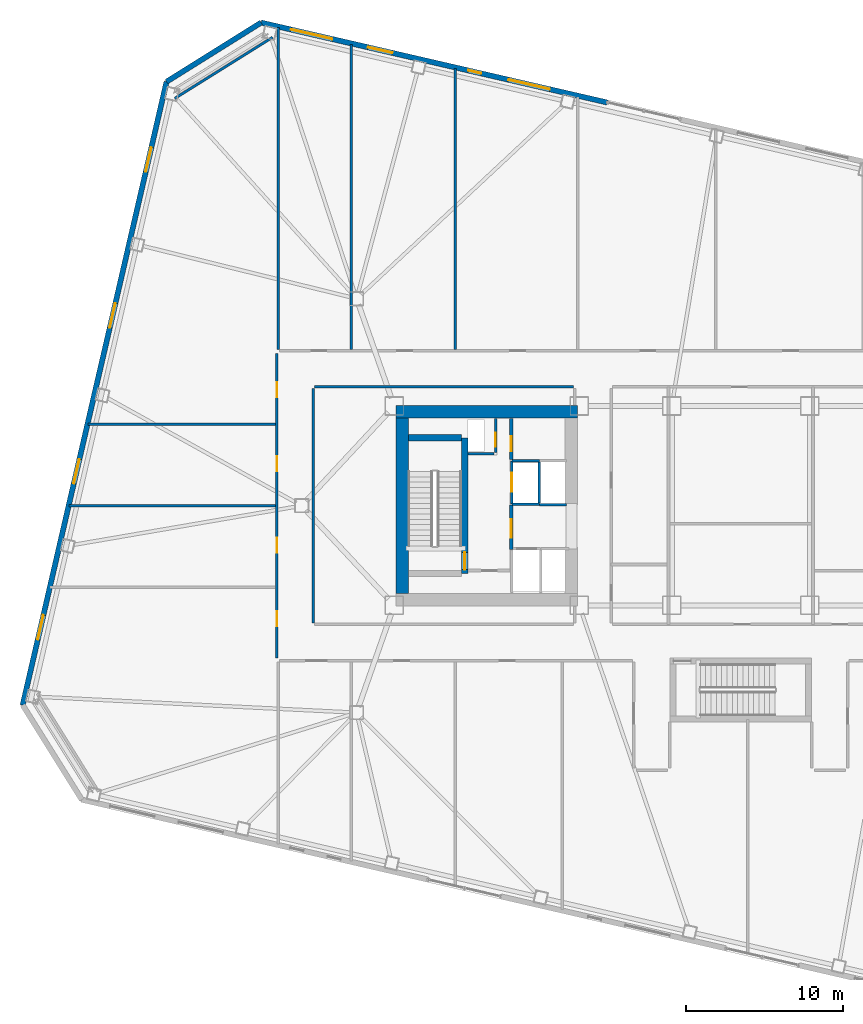
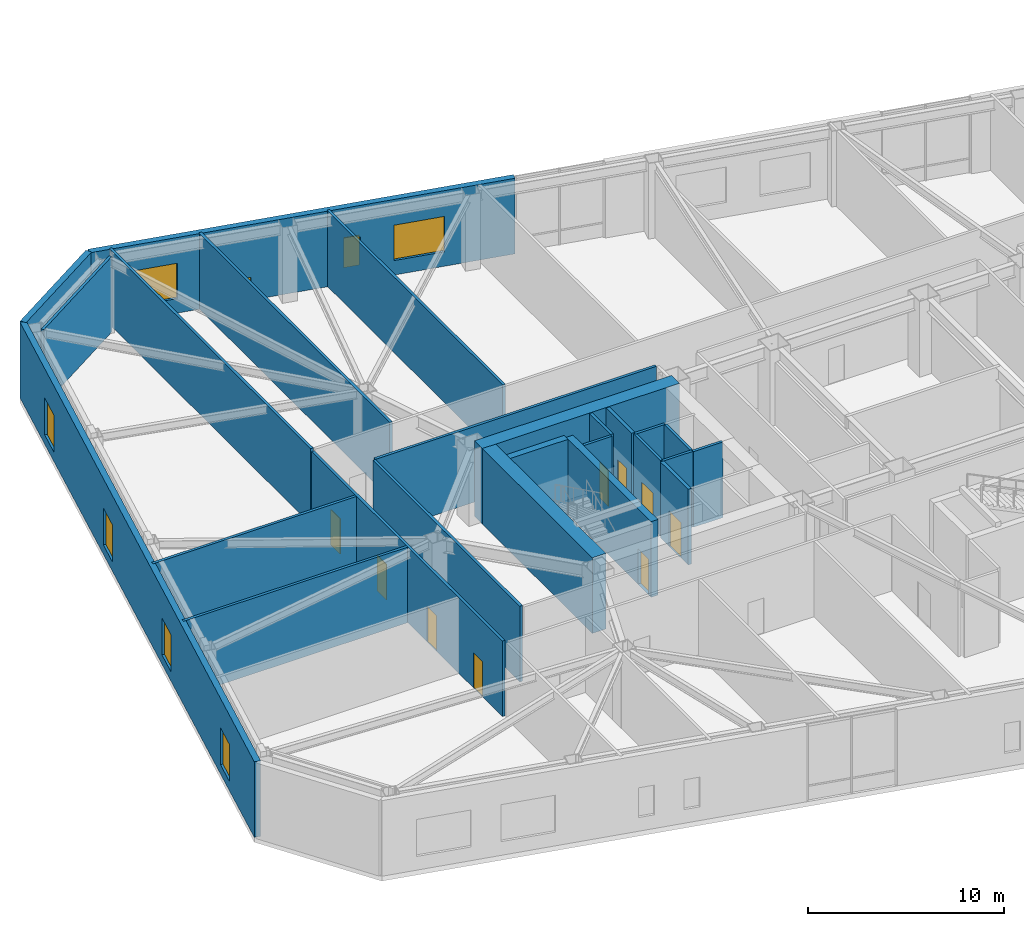
# One storey, part 11 of 20: 25 walls, 9 doors, 8 windows, 17 openings.
"""IFC4 building model written with IfcOpenShell, lengths in metres."""

import ifcopenshell
import ifcopenshell.guid

model = None  # the IFC model being written
_history = None  # IfcOwnerHistory: only IFC2X3 demands one
_inside = {}  # id of a spatial element -> (the spatial element, [elements in it])
_under = {}  # id of a project, library or spatial element -> (it, [spatial elements below it])
_declared = {}  # id of a project -> (the project, [libraries it declares])
_typed = {}  # id of a type object -> (the type object, [elements of that type])
_made_of = {}  # id of a material, layer set ... -> (it, [elements and type objects made of it])


def new_model(schema):
    """Start an empty IFC model of exactly this schema.

    Asked for "IFC4X3", IfcOpenShell would pick the latest addendum, in which some entities
    have other attributes; the version numbers below select the first issue.
    IFC2X3 requires an IfcOwnerHistory on every rooted entity: one is made here for all.
    """
    global model, _history
    if schema == "IFC4X3":
        model = ifcopenshell.file(schema_version=(4, 3, 0, 0))
    else:
        model = ifcopenshell.file(schema=schema)
    _inside.clear()
    _under.clear()
    _declared.clear()
    _typed.clear()
    _made_of.clear()
    _history = None
    if model.schema == "IFC2X3":
        org = make("IfcOrganization", Name="unknown")
        user = make(
            "IfcPersonAndOrganization",
            ThePerson=make("IfcPerson", FamilyName="unknown"),
            TheOrganization=org,
        )
        app = make(
            "IfcApplication",
            ApplicationDeveloper=org,
            Version="unknown",
            ApplicationFullName="unknown",
            ApplicationIdentifier="unknown",
        )
        _history = make(
            "IfcOwnerHistory",
            OwningUser=user,
            OwningApplication=app,
            ChangeAction="ADDED",
            CreationDate=0,
        )
    return model


def make(cls, **values):
    """One entity of the class cls with the attributes given. An attribute that is None is left unset."""
    return model.create_entity(
        cls, **{name: value for name, value in values.items() if value is not None}
    )


def rooted(cls, **values):
    """An entity with a GlobalId (a new one), such as an element, a storey or a relation."""
    return make(cls, GlobalId=ifcopenshell.guid.new(), OwnerHistory=_history, **values)


def si_unit(unit_type, name, prefix=None):
    """IfcSIUnit, for example si_unit("LENGTHUNIT", "METRE", prefix="MILLI")."""
    return make("IfcSIUnit", UnitType=unit_type, Prefix=prefix, Name=name)


def assignment(units):
    """IfcUnitAssignment: the units of a project."""
    return None if units is None else make("IfcUnitAssignment", Units=units)


def point(xyz):
    """IfcCartesianPoint."""
    return None if xyz is None else make("IfcCartesianPoint", Coordinates=xyz)


def direction(xyz):
    """IfcDirection."""
    return None if xyz is None else make("IfcDirection", DirectionRatios=xyz)


def frame(location, z_axis=None, x_axis=None):
    """IfcAxis2Placement3D, a coordinate frame: its origin and axes. An axis left out is left unset."""
    return make(
        "IfcAxis2Placement3D",
        Location=point(location),
        Axis=direction(z_axis),
        RefDirection=direction(x_axis),
    )


def frame_2d(location, x_axis=None):
    """IfcAxis2Placement2D, a coordinate frame in the plane: its origin and x axis."""
    return make(
        "IfcAxis2Placement2D", Location=point(location), RefDirection=direction(x_axis)
    )


def origin():
    """The frame at (0, 0, 0) with its axes left unset."""
    return frame((0.0, 0.0, 0.0))


def place(relative_to, where):
    """IfcLocalPlacement: puts the frame where relative to a parent placement (None: the world)."""
    return make(
        "IfcLocalPlacement", PlacementRelTo=relative_to, RelativePlacement=where
    )


def context(
    kind, dimensions, precision=None, world=None, true_north=None, identifier=None
):
    """IfcGeometricRepresentationContext, for example the 3D "Model" context."""
    return make(
        "IfcGeometricRepresentationContext",
        ContextIdentifier=identifier,
        ContextType=kind,
        CoordinateSpaceDimension=dimensions,
        Precision=precision,
        WorldCoordinateSystem=world,
        TrueNorth=true_north,
    )


def subcontext(parent, identifier, kind, view, scale=None):
    """IfcGeometricRepresentationSubContext, for example "Body" below "Model"."""
    return make(
        "IfcGeometricRepresentationSubContext",
        ContextIdentifier=identifier,
        ContextType=kind,
        ParentContext=parent,
        TargetScale=scale,
        TargetView=view,
    )


def project(units=None, contexts=None):
    """IfcProject with its units and contexts."""
    return rooted(
        "IfcProject",
        Name="project",
        RepresentationContexts=contexts,
        UnitsInContext=assignment(units),
    )


def spatial(cls, under=None, at=None, **own):
    """A site, building, storey or space (cls), placed at a placement, below another one or the project."""
    s = rooted(cls, ObjectPlacement=at, **own)
    if under is not None:
        _under.setdefault(under.id(), (under, []))[1].append(s)
    return s


def profile(cls, at=None, kind="AREA", **sizes):
    """A parametric profile (cls). Its sizes go by their IFC names, for example OverallWidth=200.0."""
    return make(cls, ProfileType=kind, Position=at, **sizes)


def rectangle(**sizes):
    """IfcRectangleProfileDef."""
    return profile("IfcRectangleProfileDef", **sizes)


def extrude(swept, where, along, depth):
    """IfcExtrudedAreaSolid: the profile swept, set in the frame where, extruded along a direction by depth."""
    return make(
        "IfcExtrudedAreaSolid",
        SweptArea=swept,
        Position=where,
        ExtrudedDirection=direction(along),
        Depth=depth,
    )


def shape(context_of_items, identifier, shape_type, items):
    """IfcShapeRepresentation: the items that make up one representation, for example the "Body"."""
    return make(
        "IfcShapeRepresentation",
        ContextOfItems=context_of_items,
        RepresentationIdentifier=identifier,
        RepresentationType=shape_type,
        Items=items,
    )


def material(Name=None, Category=None):
    """IfcMaterial."""
    return make("IfcMaterial", Name=Name, Category=Category)


def layer(
    of_material, thickness, ventilated=None, Name=None, Category=None, Priority=None
):
    """IfcMaterialLayer: one layer of a wall or slab, of a material (None: an air gap)."""
    return make(
        "IfcMaterialLayer",
        Material=of_material,
        LayerThickness=thickness,
        IsVentilated=ventilated,
        Name=Name,
        Category=Category,
        Priority=Priority,
    )


def layer_set(layers, Name=None):
    """IfcMaterialLayerSet."""
    return make("IfcMaterialLayerSet", MaterialLayers=layers, LayerSetName=Name)


def made_of(thing, what):
    """Note that an element or type object is made of a material, layer set ...; save() writes the relation."""
    if what is not None:
        _made_of.setdefault(what.id(), (what, []))[1].append(thing)
    return thing


def type_object(cls, material=None, **own):
    """A type object (cls), such as IfcWallType, which elements share."""
    return made_of(rooted(cls, **own), material)


def element(
    cls,
    number,
    at=None,
    inside=None,
    cuts=None,
    type_object=None,
    material=None,
    context=None,
    identifier="Body",
    shape_type=None,
    held_by="IfcProductDefinitionShape",
    body=None,
    shapes=None,
    **own,
):
    """One element of the class cls, such as IfcWall. Its Tag is "e" and its number.

    at: its placement. inside: the storey or other place that contains it. cuts: it is an
    opening in that element (IfcRelVoidsElement). A single representation is given by context,
    identifier, shape_type and body (its items); several are given by shapes. held_by: the class
    of the entity that holds the representations. save() writes the other relations.
    """
    e = rooted(cls, Tag="e%d" % number, ObjectPlacement=at, **own)
    if body is not None:
        shapes = [shape(context, identifier, shape_type, body)]
    if shapes is not None:
        e.Representation = make(held_by, Representations=shapes)
    if inside is not None:
        _inside.setdefault(inside.id(), (inside, []))[1].append(e)
    if cuts is not None:
        rooted(
            "IfcRelVoidsElement", RelatingBuildingElement=cuts, RelatedOpeningElement=e
        )
    if type_object is not None:
        _typed.setdefault(type_object.id(), (type_object, []))[1].append(e)
    return made_of(e, material)


def fill(opening, filler):
    """IfcRelFillsElement: the door or window that sits in an opening."""
    return rooted(
        "IfcRelFillsElement",
        RelatingOpeningElement=opening,
        RelatedBuildingElement=filler,
    )


def aggregate(whole, parts):
    """IfcRelAggregates: a whole, such as a stair, and the parts it consists of."""
    return rooted("IfcRelAggregates", RelatingObject=whole, RelatedObjects=parts)


def save(model, path):
    """Write the relations noted so far, then the file.

    IfcRelAggregates (storeys below a building ...), IfcRelContainedInSpatialStructure (elements
    in a storey), IfcRelDefinesByType, IfcRelAssociatesMaterial and IfcRelDeclares: one each for
    every whole, place, type object, material and project.
    """
    for whole, parts in _under.values():
        aggregate(whole, parts)
    for where, things in _inside.values():
        rooted(
            "IfcRelContainedInSpatialStructure",
            RelatedElements=things,
            RelatingStructure=where,
        )
    for kind, things in _typed.values():
        rooted("IfcRelDefinesByType", RelatedObjects=things, RelatingType=kind)
    for what, things in _made_of.values():
        rooted("IfcRelAssociatesMaterial", RelatedObjects=things, RelatingMaterial=what)
    for by, libraries in _declared.values():
        rooted("IfcRelDeclares", RelatingContext=by, RelatedDefinitions=libraries)
    model.write(path)


model = new_model("IFC4")

# Units and contexts
model_context = context("Model", 3, precision=1e-05, world=origin(), true_north=direction((0.0, 1.0)))
body_context = subcontext(model_context, "Body", "Model", "MODEL_VIEW")
ifc_project = project(units=[si_unit("LENGTHUNIT", "METRE"), si_unit("AREAUNIT", "SQUARE_METRE"), si_unit("VOLUMEUNIT", "CUBIC_METRE"), si_unit("PLANEANGLEUNIT", "RADIAN"), si_unit("MASSUNIT", "GRAM", prefix="KILO")], contexts=[model_context])

# Site, building, storey
site_placement = place(None, origin())
site = spatial("IfcSite", under=ifc_project, at=site_placement, CompositionType="ELEMENT")
building_placement = place(site_placement, origin())
building = spatial("IfcBuilding", under=site, at=building_placement, Name="Tavrogorsk Clinical Tower", CompositionType="ELEMENT")
storey_placement = place(building_placement, frame((0.0, 0.0, 23.39990234375)))
storey = spatial("IfcBuildingStorey", under=building, at=storey_placement, Name="L04", CompositionType="ELEMENT", Elevation=23.39990234375)

# Wall, opening, door
ifc_material_1 = material(Name="Concrete B60", Category="concrete")
ifc_layer_1 = layer(ifc_material_1, 0.199951171875)
ifc_layer_set_1 = layer_set([ifc_layer_1], Name="Concrete B60")
wall_type_1 = type_object("IfcWallType", Name="CoreFireWall_200", PredefinedType="SOLIDWALL", material=ifc_layer_set_1)
wall_1_placement = place(storey_placement, frame((-14.639892578125, 2.9599609375, 0.0), z_axis=(0.0, 0.0, 1.0), x_axis=(0.0, 1.0, 0.0)))
wall_1 = element("IfcWall", 1, at=wall_1_placement, inside=storey, type_object=wall_type_1, Name="L04 Core West North Core Room East Wall", PredefinedType="SOLIDWALL", context=body_context, shape_type="SweptSolid", body=[
    extrude(rectangle(XDim=2.60009765625, YDim=0.199951171875, at=frame_2d((1.300048828125, 0.0))), origin(), (0.0, 0.0, 1.0), 4.7001953125),
])
opening_1_placement = place(wall_1_placement, frame((0.52001953125, 0.0, 0.0)))
opening_1 = element("IfcOpeningElement", 2, at=opening_1_placement, cuts=wall_1, Name="Opening ID-02", PredefinedType="OPENING", context=body_context, shape_type="SweptSolid", body=[
    extrude(rectangle(XDim=0.949951171875, YDim=2.199951171875, at=frame_2d((0.47509765625, 1.10009765625))), frame((0.0, 0.10986328125, 0.0), z_axis=(0.0, -1.0, 0.0), x_axis=(1.0, 0.0, 0.0)), (0.0, 0.0, 1.0), 0.219970703125),
])
ifc_material_2 = material(Name="Laminated timber leaf on aluminium frame", Category="wood")
door_type_1 = type_object("IfcDoorType", Name="InteriorDoor_ID02_950", OperationType="NOTDEFINED", PredefinedType="DOOR", material=ifc_material_2)
door_1_placement = place(opening_1_placement, origin())
door_1 = element("IfcDoor", 3, at=door_1_placement, inside=storey, type_object=door_type_1, Name="L04 Core West Core Telemetry Room Door", OperationType="SINGLE_SWING_LEFT", OverallHeight=2.199951171875, OverallWidth=0.949951171875, PredefinedType="DOOR", context=body_context, shape_type="SweptSolid", body=[
    extrude(rectangle(XDim=0.949951171875, YDim=2.199951171875, at=frame_2d((0.47509765625, 1.10009765625))), frame((0.0, 0.02490234375, 0.0), z_axis=(0.0, -1.0, 0.0), x_axis=(1.0, 0.0, 0.0)), (0.0, 0.0, 1.0), 0.050048828125),
])
fill(opening_1, door_1)

wall_2_placement = place(storey_placement, frame((-14.639892578125, -2.780029296875, 0.0), z_axis=(0.0, 0.0, 1.0), x_axis=(0.0, 1.0, 0.0)))
wall_2 = element("IfcWall", 4, at=wall_2_placement, inside=storey, type_object=wall_type_1, Name="L04 Core West Firefighting Lobby Fire Wall", PredefinedType="SOLIDWALL", context=body_context, shape_type="SweptSolid", body=[
    extrude(rectangle(XDim=2.820068359375, YDim=0.199951171875, at=frame_2d((1.41015625, 0.0))), origin(), (0.0, 0.0, 1.0), 4.7001953125),
])
opening_2_placement = place(wall_2_placement, frame((0.72998046875, 0.0, 0.0)))
opening_2 = element("IfcOpeningElement", 5, at=opening_2_placement, cuts=wall_2, Name="Opening FD-01", PredefinedType="OPENING", context=body_context, shape_type="SweptSolid", body=[
    extrude(rectangle(XDim=1.199951171875, YDim=2.199951171875, at=frame_2d((0.60009765625, 1.10009765625))), frame((0.0, 0.10986328125, 0.0), z_axis=(0.0, -1.0, 0.0), x_axis=(1.0, 0.0, 0.0)), (0.0, 0.0, 1.0), 0.219970703125),
])
ifc_material_3 = material(Name="Galvanised steel fire-rated door assembly", Category="steel")
door_type_2 = type_object("IfcDoorType", Name="FireDoor_FD01_1200", OperationType="NOTDEFINED", PredefinedType="DOOR", material=ifc_material_3)
door_2_placement = place(opening_2_placement, origin())
door_2 = element("IfcDoor", 6, at=door_2_placement, inside=storey, type_object=door_type_2, Name="L04 Core West Firefighting Lobby Entry Door", OperationType="SINGLE_SWING_RIGHT", OverallHeight=2.199951171875, OverallWidth=1.199951171875, PredefinedType="DOOR", context=body_context, shape_type="SweptSolid", body=[
    extrude(rectangle(XDim=1.199951171875, YDim=2.199951171875, at=frame_2d((0.60009765625, 1.10009765625))), frame((0.0, 0.02490234375, 0.0), z_axis=(0.0, -1.0, 0.0), x_axis=(1.0, 0.0, 0.0)), (0.0, 0.0, 1.0), 0.050048828125),
])
fill(opening_2, door_2)

# Wall
ifc_material_4 = material(Name="Lightweight concrete blockwork B15", Category="masonry")
ifc_layer_2 = layer(ifc_material_4, 0.159912109375)
ifc_layer_set_2 = layer_set([ifc_layer_2], Name="Lightweight concrete blockwork B15")
wall_type_2 = type_object("IfcWallType", Name="PartitionWall_160", PredefinedType="PARTITIONING", material=ifc_layer_set_2)
wall_3_placement = place(storey_placement, frame((-29.859619140625, 29.8681640625, 0.0), z_axis=(0.0, 0.0, 1.0), x_axis=(-0.848043064089, -0.529927317139, 0.0)))
element("IfcWall", 7, at=wall_3_placement, inside=storey, type_object=wall_type_2, Name="L04 Corner Exoskeleton Brace Furring Wall 3", PredefinedType="PARTITIONING", context=body_context, shape_type="SweptSolid", body=[
    extrude(rectangle(XDim=7.353759765625, YDim=0.159912109375, at=frame_2d((3.6767578125, 0.0))), origin(), (0.0, 0.0, 1.0), 4.7001953125),
])

# Wall, openings, doors
wall_4_placement = place(storey_placement, frame((-29.580078125, -9.715087890625, 0.0), z_axis=(0.0, 0.0, 1.0), x_axis=(0.0, 1.0, 0.0)))
wall_4 = element("IfcWall", 8, at=wall_4_placement, inside=storey, type_object=wall_type_2, Name="L04 Corridor Partition 01", PredefinedType="PARTITIONING", context=body_context, shape_type="SweptSolid", body=[
    extrude(rectangle(XDim=19.43017578125, YDim=0.159912109375, at=frame_2d((9.715087890625, 0.0))), origin(), (0.0, 0.0, 1.0), 4.7001953125),
])
opening_3_placement = place(wall_4_placement, frame((2.01904296875, 0.0, 0.0)))
opening_3 = element("IfcOpeningElement", 9, at=opening_3_placement, cuts=wall_4, Name="Opening ID-02", PredefinedType="OPENING", context=body_context, shape_type="SweptSolid", body=[
    extrude(rectangle(XDim=0.949951171875, YDim=2.199951171875, at=frame_2d((0.47509765625, 1.10009765625))), frame((0.0, 0.08984375, 0.0), z_axis=(0.0, -1.0, 0.0), x_axis=(1.0, 0.0, 0.0)), (0.0, 0.0, 1.0), 0.179931640625),
])
opening_4_placement = place(wall_4_placement, frame((6.72509765625, 0.0, 0.0)))
opening_4 = element("IfcOpeningElement", 10, at=opening_4_placement, cuts=wall_4, Name="Opening ID-02", PredefinedType="OPENING", context=body_context, shape_type="SweptSolid", body=[
    extrude(rectangle(XDim=0.949951171875, YDim=2.199951171875, at=frame_2d((0.47509765625, 1.10009765625))), frame((0.0, 0.08984375, 0.0), z_axis=(0.0, -1.0, 0.0), x_axis=(1.0, 0.0, 0.0)), (0.0, 0.0, 1.0), 0.179931640625),
])
opening_5_placement = place(wall_4_placement, frame((11.925048828125, 0.0, 0.0)))
opening_5 = element("IfcOpeningElement", 11, at=opening_5_placement, cuts=wall_4, Name="Opening ID-02", PredefinedType="OPENING", context=body_context, shape_type="SweptSolid", body=[
    extrude(rectangle(XDim=0.949951171875, YDim=2.199951171875, at=frame_2d((0.47509765625, 1.10009765625))), frame((0.0, 0.08984375, 0.0), z_axis=(0.0, -1.0, 0.0), x_axis=(1.0, 0.0, 0.0)), (0.0, 0.0, 1.0), 0.179931640625),
])
opening_6_placement = place(wall_4_placement, frame((16.630859375, 0.0, 0.0)))
opening_6 = element("IfcOpeningElement", 12, at=opening_6_placement, cuts=wall_4, Name="Opening ID-02", PredefinedType="OPENING", context=body_context, shape_type="SweptSolid", body=[
    extrude(rectangle(XDim=0.949951171875, YDim=2.199951171875, at=frame_2d((0.47509765625, 1.10009765625))), frame((0.0, 0.08984375, 0.0), z_axis=(0.0, -1.0, 0.0), x_axis=(1.0, 0.0, 0.0)), (0.0, 0.0, 1.0), 0.179931640625),
])
door_3_placement = place(opening_3_placement, origin())
door_3 = element("IfcDoor", 13, at=door_3_placement, inside=storey, type_object=door_type_1, Name="L04 W Solarium Day Room & Lounge 1 Door", OperationType="SINGLE_SWING_RIGHT", OverallHeight=2.199951171875, OverallWidth=0.949951171875, PredefinedType="DOOR", context=body_context, shape_type="SweptSolid", body=[
    extrude(rectangle(XDim=0.949951171875, YDim=2.199951171875, at=frame_2d((0.47509765625, 1.10009765625))), frame((0.0, 0.02490234375, 0.0), z_axis=(0.0, -1.0, 0.0), x_axis=(1.0, 0.0, 0.0)), (0.0, 0.0, 1.0), 0.050048828125),
])
fill(opening_3, door_3)
door_4_placement = place(opening_4_placement, origin())
door_4 = element("IfcDoor", 14, at=door_4_placement, inside=storey, type_object=door_type_1, Name="L04 W Rehabilitation Therapy Suite 2 Door", OperationType="SINGLE_SWING_LEFT", OverallHeight=2.199951171875, OverallWidth=0.949951171875, PredefinedType="DOOR", context=body_context, shape_type="SweptSolid", body=[
    extrude(rectangle(XDim=0.949951171875, YDim=2.199951171875, at=frame_2d((0.47509765625, 1.10009765625))), frame((0.0, 0.02490234375, 0.0), z_axis=(0.0, -1.0, 0.0), x_axis=(1.0, 0.0, 0.0)), (0.0, 0.0, 1.0), 0.050048828125),
])
fill(opening_4, door_4)
door_5_placement = place(opening_5_placement, origin())
door_5 = element("IfcDoor", 15, at=door_5_placement, inside=storey, type_object=door_type_1, Name="L04 W Sub-Acute Observation Suite 3 Door", OperationType="SINGLE_SWING_RIGHT", OverallHeight=2.199951171875, OverallWidth=0.949951171875, PredefinedType="DOOR", context=body_context, shape_type="SweptSolid", body=[
    extrude(rectangle(XDim=0.949951171875, YDim=2.199951171875, at=frame_2d((0.47509765625, 1.10009765625))), frame((0.0, 0.02490234375, 0.0), z_axis=(0.0, -1.0, 0.0), x_axis=(1.0, 0.0, 0.0)), (0.0, 0.0, 1.0), 0.050048828125),
])
fill(opening_5, door_5)
door_6_placement = place(opening_6_placement, origin())
door_6 = element("IfcDoor", 16, at=door_6_placement, inside=storey, type_object=door_type_1, Name="L04 W Family Consultation Lounge 4 Door", OperationType="SINGLE_SWING_LEFT", OverallHeight=2.199951171875, OverallWidth=0.949951171875, PredefinedType="DOOR", context=body_context, shape_type="SweptSolid", body=[
    extrude(rectangle(XDim=0.949951171875, YDim=2.199951171875, at=frame_2d((0.47509765625, 1.10009765625))), frame((0.0, 0.02490234375, 0.0), z_axis=(0.0, -1.0, 0.0), x_axis=(1.0, 0.0, 0.0)), (0.0, 0.0, 1.0), 0.050048828125),
])
fill(opening_6, door_6)

# Walls
wall_5_placement = place(storey_placement, frame((-10.6650390625, 7.570068359375, 0.0), z_axis=(0.0, 0.0, 1.0), x_axis=(-1.0, 0.0, 0.0)))
element("IfcWall", 17, at=wall_5_placement, inside=storey, type_object=wall_type_2, Name="L04 Corridor Partition 23", PredefinedType="PARTITIONING", context=body_context, shape_type="SweptSolid", body=[
    extrude(rectangle(XDim=16.52001953125, YDim=0.159912109375, at=frame_2d((8.260009765625, 0.0))), origin(), (0.0, 0.0, 1.0), 4.7001953125),
])
wall_6_placement = place(storey_placement, frame((-27.27001953125, 7.485107421875, 0.0), z_axis=(0.0, 0.0, 1.0), x_axis=(0.0, -1.0, 0.0)))
element("IfcWall", 18, at=wall_6_placement, inside=storey, type_object=wall_type_2, Name="L04 Corridor Partition 24", PredefinedType="PARTITIONING", context=body_context, shape_type="SweptSolid", body=[
    extrude(rectangle(XDim=14.97021484375, YDim=0.159912109375, at=frame_2d((7.485107421875, 0.0))), origin(), (0.0, 0.0, 1.0), 4.7001953125),
])
wall_7_placement = place(storey_placement, frame((-29.5, 9.965087890625, 0.0), z_axis=(0.0, 0.0, 1.0), x_axis=(0.0, 1.0, 0.0)))
element("IfcWall", 19, at=wall_7_placement, inside=storey, type_object=wall_type_2, Name="L04 NW Wing Closure Partition", PredefinedType="PARTITIONING", context=body_context, shape_type="SweptSolid", body=[
    extrude(rectangle(XDim=20.5185546875, YDim=0.159912109375, at=frame_2d((10.25927734375, 0.0))), origin(), (0.0, 0.0, 1.0), 4.7001953125),
])
wall_8_placement = place(storey_placement, frame((-24.85009765625, 9.965087890625, 0.0), z_axis=(0.0, 0.0, 1.0), x_axis=(0.0, 1.0, 0.0)))
element("IfcWall", 20, at=wall_8_placement, inside=storey, type_object=wall_type_2, Name="L04 North Room Partition 1", PredefinedType="PARTITIONING", context=body_context, shape_type="SweptSolid", body=[
    extrude(rectangle(XDim=19.445068359375, YDim=0.159912109375, at=frame_2d((9.72265625, 0.0))), origin(), (0.0, 0.0, 1.0), 4.7001953125),
])
wall_9_placement = place(storey_placement, frame((-18.199951171875, 9.965087890625, 0.0), z_axis=(0.0, 0.0, 1.0), x_axis=(0.0, 1.0, 0.0)))
element("IfcWall", 21, at=wall_9_placement, inside=storey, type_object=wall_type_2, Name="L04 North Room Partition 2", PredefinedType="PARTITIONING", context=body_context, shape_type="SweptSolid", body=[
    extrude(rectangle(XDim=17.90966796875, YDim=0.159912109375, at=frame_2d((8.954833984375, 0.0))), origin(), (0.0, 0.0, 1.0), 4.7001953125),
])
wall_10_placement = place(storey_placement, frame((-42.841552734375, 0.0, 0.0), z_axis=(0.0, 0.0, 1.0), x_axis=(1.0, 0.0, 0.0)))
element("IfcWall", 22, at=wall_10_placement, inside=storey, type_object=wall_type_2, Name="L04 W Wing Divider 2", PredefinedType="PARTITIONING", context=body_context, shape_type="SweptSolid", body=[
    extrude(rectangle(XDim=13.176513671875, YDim=0.159912109375, at=frame_2d((6.58837890625, 0.0))), origin(), (0.0, 0.0, 1.0), 4.7001953125),
])
wall_11_placement = place(storey_placement, frame((-41.64111328125, 5.199951171875, 0.0), z_axis=(0.0, 0.0, 1.0), x_axis=(1.0, 0.0, 0.0)))
element("IfcWall", 23, at=wall_11_placement, inside=storey, type_object=wall_type_2, Name="L04 W Wing Divider 3", PredefinedType="PARTITIONING", context=body_context, shape_type="SweptSolid", body=[
    extrude(rectangle(XDim=11.97607421875, YDim=0.159912109375, at=frame_2d((5.988037109375, 0.0))), origin(), (0.0, 0.0, 1.0), 4.7001953125),
])

# Wall, openings, windows
ifc_material_5 = material(Name="Precast concrete B45 with limestone cladding", Category="masonry")
ifc_layer_3 = layer(ifc_material_5, 0.340087890625)
ifc_layer_set_3 = layer_set([ifc_layer_3], Name="Precast concrete B45 with limestone cladding")
wall_type_3 = type_object("IfcWallType", Name="PrecastLimestoneWall_340", PredefinedType="STANDARD", material=ifc_layer_set_3)
wall_12_placement = place(storey_placement, frame((-8.5166015625, 25.711181640625, 0.0), z_axis=(0.0, 0.0, 1.0), x_axis=(-0.974372845456, 0.224939009598, 0.0)))
wall_12 = element("IfcWall", 24, at=wall_12_placement, inside=storey, type_object=wall_type_3, Name="L04 N Limestone Facade Wall 3", PredefinedType="STANDARD", context=body_context, shape_type="SweptSolid", body=[
    extrude(rectangle(XDim=22.651611328125, YDim=0.340087890625, at=frame_2d((11.32568359375, 0.0))), origin(), (0.0, 0.0, 1.0), 4.7001953125),
])
opening_7_placement = place(wall_12_placement, frame((17.9892578125, 0.0, 0.89990234375)))
opening_7 = element("IfcOpeningElement", 25, at=opening_7_placement, cuts=wall_12, Name="Opening WN-02", PredefinedType="OPENING", context=body_context, shape_type="SweptSolid", body=[
    extrude(rectangle(XDim=2.699951171875, YDim=2.199951171875, at=frame_2d((1.35009765625, 1.10009765625))), frame((0.0, 0.179931640625, 0.0), z_axis=(0.0, -1.0, 0.0), x_axis=(1.0, 0.0, 0.0)), (0.0, 0.0, 1.0), 0.360107421875),
])
opening_8_placement = place(wall_12_placement, frame((14.054931640625, 0.0, 0.219970703125)))
opening_8 = element("IfcOpeningElement", 26, at=opening_8_placement, cuts=wall_12, Name="Opening WN-09", PredefinedType="OPENING", context=body_context, shape_type="SweptSolid", body=[
    extrude(rectangle(XDim=1.60009765625, YDim=1.199951171875, at=frame_2d((0.800048828125, 0.60009765625))), frame((0.0, 0.179931640625, 0.0), z_axis=(0.0, -1.0, 0.0), x_axis=(1.0, 0.0, 0.0)), (0.0, 0.0, 1.0), 0.360107421875),
])
opening_9_placement = place(wall_12_placement, frame((8.24072265625, 0.0, 0.89990234375)))
opening_9 = element("IfcOpeningElement", 27, at=opening_9_placement, cuts=wall_12, Name="Opening WN-06", PredefinedType="OPENING", context=body_context, shape_type="SweptSolid", body=[
    extrude(rectangle(XDim=0.85009765625, YDim=1.85009765625, at=frame_2d((0.425048828125, 0.925048828125))), frame((0.0, 0.179931640625, 0.0), z_axis=(0.0, -1.0, 0.0), x_axis=(1.0, 0.0, 0.0)), (0.0, 0.0, 1.0), 0.360107421875),
])
opening_10_placement = place(wall_12_placement, frame((3.75634765625, 0.0, 0.89990234375)))
opening_10 = element("IfcOpeningElement", 28, at=opening_10_placement, cuts=wall_12, Name="Opening WN-02", PredefinedType="OPENING", context=body_context, shape_type="SweptSolid", body=[
    extrude(rectangle(XDim=2.699951171875, YDim=2.199951171875, at=frame_2d((1.35009765625, 1.10009765625))), frame((0.0, 0.179931640625, 0.0), z_axis=(0.0, -1.0, 0.0), x_axis=(1.0, 0.0, 0.0)), (0.0, 0.0, 1.0), 0.360107421875),
])
ifc_material_6 = material(Name="Thermally broken aluminium frame and triple IGU", Category="aluminium")
window_type_1 = type_object("IfcWindowType", Name="LowHeadTransWin_1600x1200", PartitioningType="DOUBLE_PANEL_VERTICAL", PredefinedType="WINDOW", material=ifc_material_6)
window_1_placement = place(opening_8_placement, origin())
window_1 = element("IfcWindow", 29, at=window_1_placement, inside=storey, type_object=window_type_1, Name="L04 N Chicago Window 02", OverallHeight=1.199951171875, OverallWidth=1.60009765625, PartitioningType="SINGLE_PANEL", PredefinedType="WINDOW", context=body_context, shape_type="SweptSolid", body=[
    extrude(rectangle(XDim=1.60009765625, YDim=1.199951171875, at=frame_2d((0.800048828125, 0.60009765625))), frame((0.0, 0.030029296875, 0.0), z_axis=(0.0, -1.0, 0.0), x_axis=(1.0, 0.0, 0.0)), (0.0, 0.0, 1.0), 0.06005859375),
])
fill(opening_8, window_1)
ifc_material_7 = material(Name="Thermally broken aluminium frame and triple IGU", Category="aluminium")
window_type_2 = type_object("IfcWindowType", Name="MullionSubWin_850x1850", PartitioningType="SINGLE_PANEL", PredefinedType="WINDOW", material=ifc_material_7)
window_2_placement = place(opening_9_placement, origin())
window_2 = element("IfcWindow", 30, at=window_2_placement, inside=storey, type_object=window_type_2, Name="L04 N Mullion Split Window 03A", OverallHeight=1.85009765625, OverallWidth=0.85009765625, PartitioningType="SINGLE_PANEL", PredefinedType="WINDOW", context=body_context, shape_type="SweptSolid", body=[
    extrude(rectangle(XDim=0.85009765625, YDim=1.85009765625, at=frame_2d((0.425048828125, 0.925048828125))), frame((0.0, 0.030029296875, 0.0), z_axis=(0.0, -1.0, 0.0), x_axis=(1.0, 0.0, 0.0)), (0.0, 0.0, 1.0), 0.06005859375),
])
fill(opening_9, window_2)
ifc_material_8 = material(Name="Thermally broken aluminium frame and triple IGU", Category="aluminium")
window_type_3 = type_object("IfcWindowType", Name="WardChicagoWin_2700x2200", PartitioningType="TRIPLE_PANEL_HORIZONTAL", PredefinedType="WINDOW", material=ifc_material_8)
window_3_placement = place(opening_7_placement, origin())
window_3 = element("IfcWindow", 31, at=window_3_placement, inside=storey, type_object=window_type_3, Name="L04 N Chicago Window 01", OverallHeight=2.199951171875, OverallWidth=2.699951171875, PartitioningType="SINGLE_PANEL", PredefinedType="WINDOW", context=body_context, shape_type="SweptSolid", body=[
    extrude(rectangle(XDim=2.699951171875, YDim=2.199951171875, at=frame_2d((1.35009765625, 1.10009765625))), frame((0.0, 0.030029296875, 0.0), z_axis=(0.0, -1.0, 0.0), x_axis=(1.0, 0.0, 0.0)), (0.0, 0.0, 1.0), 0.06005859375),
])
fill(opening_7, window_3)
window_4_placement = place(opening_10_placement, origin())
window_4 = element("IfcWindow", 32, at=window_4_placement, inside=storey, type_object=window_type_3, Name="L04 N Chicago Window 04", OverallHeight=2.199951171875, OverallWidth=2.699951171875, PartitioningType="SINGLE_PANEL", PredefinedType="WINDOW", context=body_context, shape_type="SweptSolid", body=[
    extrude(rectangle(XDim=2.699951171875, YDim=2.199951171875, at=frame_2d((1.35009765625, 1.10009765625))), frame((0.0, 0.030029296875, 0.0), z_axis=(0.0, -1.0, 0.0), x_axis=(1.0, 0.0, 0.0)), (0.0, 0.0, 1.0), 0.06005859375),
])
fill(opening_10, window_4)

wall_13_placement = place(storey_placement, frame((-36.6201171875, 27.036865234375, 0.0), z_axis=(0.0, 0.0, 1.0), x_axis=(-0.224951280646, -0.974370012539, 0.0)))
wall_13 = element("IfcWall", 33, at=wall_13_placement, inside=storey, type_object=wall_type_3, Name="L04 W Pleated Limestone Wing Wall", PredefinedType="STANDARD", context=body_context, shape_type="SweptSolid", body=[
    extrude(rectangle(XDim=40.7998046875, YDim=0.340087890625, at=frame_2d((20.39990234375, 0.0))), origin(), (0.0, 0.0, 1.0), 4.7001953125),
])
opening_11_placement = place(wall_13_placement, frame((4.300048828125, 0.0, 0.580078125)))
opening_11 = element("IfcOpeningElement", 34, at=opening_11_placement, cuts=wall_13, Name="Opening WN-07", PredefinedType="OPENING", context=body_context, shape_type="SweptSolid", body=[
    extrude(rectangle(XDim=1.60009765625, YDim=2.300048828125, at=frame_2d((0.800048828125, 1.14990234375))), frame((0.0, 0.179931640625, 0.0), z_axis=(0.0, -1.0, 0.0), x_axis=(1.0, 0.0, 0.0)), (0.0, 0.0, 1.0), 0.360107421875),
])
opening_12_placement = place(wall_13_placement, frame((14.5, 0.0, 0.580078125)))
opening_12 = element("IfcOpeningElement", 35, at=opening_12_placement, cuts=wall_13, Name="Opening WN-07", PredefinedType="OPENING", context=body_context, shape_type="SweptSolid", body=[
    extrude(rectangle(XDim=1.60009765625, YDim=2.300048828125, at=frame_2d((0.800048828125, 1.14990234375))), frame((0.0, 0.179931640625, 0.0), z_axis=(0.0, -1.0, 0.0), x_axis=(1.0, 0.0, 0.0)), (0.0, 0.0, 1.0), 0.360107421875),
])
opening_13_placement = place(wall_13_placement, frame((24.699951171875, 0.0, 0.580078125)))
opening_13 = element("IfcOpeningElement", 36, at=opening_13_placement, cuts=wall_13, Name="Opening WN-07", PredefinedType="OPENING", context=body_context, shape_type="SweptSolid", body=[
    extrude(rectangle(XDim=1.60009765625, YDim=2.300048828125, at=frame_2d((0.800048828125, 1.14990234375))), frame((0.0, 0.179931640625, 0.0), z_axis=(0.0, -1.0, 0.0), x_axis=(1.0, 0.0, 0.0)), (0.0, 0.0, 1.0), 0.360107421875),
])
opening_14_placement = place(wall_13_placement, frame((34.89990234375, 0.0, 0.580078125)))
opening_14 = element("IfcOpeningElement", 37, at=opening_14_placement, cuts=wall_13, Name="Opening WN-07", PredefinedType="OPENING", context=body_context, shape_type="SweptSolid", body=[
    extrude(rectangle(XDim=1.60009765625, YDim=2.300048828125, at=frame_2d((0.800048828125, 1.14990234375))), frame((0.0, 0.179931640625, 0.0), z_axis=(0.0, -1.0, 0.0), x_axis=(1.0, 0.0, 0.0)), (0.0, 0.0, 1.0), 0.360107421875),
])
ifc_material_9 = material(Name="Thermally broken aluminium frame and triple IGU", Category="aluminium")
window_type_4 = type_object("IfcWindowType", Name="PleatSlotWin_1600x2300", PartitioningType="SINGLE_PANEL", PredefinedType="WINDOW", material=ifc_material_9)
window_5_placement = place(opening_11_placement, origin())
window_5 = element("IfcWindow", 38, at=window_5_placement, inside=storey, type_object=window_type_4, Name="L04 W Pleat Slot Window 1", OverallHeight=2.300048828125, OverallWidth=1.60009765625, PartitioningType="SINGLE_PANEL", PredefinedType="WINDOW", context=body_context, shape_type="SweptSolid", body=[
    extrude(rectangle(XDim=1.60009765625, YDim=2.300048828125, at=frame_2d((0.800048828125, 1.14990234375))), frame((0.0, 0.030029296875, 0.0), z_axis=(0.0, -1.0, 0.0), x_axis=(1.0, 0.0, 0.0)), (0.0, 0.0, 1.0), 0.06005859375),
])
fill(opening_11, window_5)
window_6_placement = place(opening_12_placement, origin())
window_6 = element("IfcWindow", 39, at=window_6_placement, inside=storey, type_object=window_type_4, Name="L04 W Pleat Slot Window 2", OverallHeight=2.300048828125, OverallWidth=1.60009765625, PartitioningType="SINGLE_PANEL", PredefinedType="WINDOW", context=body_context, shape_type="SweptSolid", body=[
    extrude(rectangle(XDim=1.60009765625, YDim=2.300048828125, at=frame_2d((0.800048828125, 1.14990234375))), frame((0.0, 0.030029296875, 0.0), z_axis=(0.0, -1.0, 0.0), x_axis=(1.0, 0.0, 0.0)), (0.0, 0.0, 1.0), 0.06005859375),
])
fill(opening_12, window_6)
window_7_placement = place(opening_13_placement, origin())
window_7 = element("IfcWindow", 40, at=window_7_placement, inside=storey, type_object=window_type_4, Name="L04 W Pleat Slot Window 3", OverallHeight=2.300048828125, OverallWidth=1.60009765625, PartitioningType="SINGLE_PANEL", PredefinedType="WINDOW", context=body_context, shape_type="SweptSolid", body=[
    extrude(rectangle(XDim=1.60009765625, YDim=2.300048828125, at=frame_2d((0.800048828125, 1.14990234375))), frame((0.0, 0.030029296875, 0.0), z_axis=(0.0, -1.0, 0.0), x_axis=(1.0, 0.0, 0.0)), (0.0, 0.0, 1.0), 0.06005859375),
])
fill(opening_13, window_7)
window_8_placement = place(opening_14_placement, origin())
window_8 = element("IfcWindow", 41, at=window_8_placement, inside=storey, type_object=window_type_4, Name="L04 W Pleat Slot Window 4", OverallHeight=2.300048828125, OverallWidth=1.60009765625, PartitioningType="SINGLE_PANEL", PredefinedType="WINDOW", context=body_context, shape_type="SweptSolid", body=[
    extrude(rectangle(XDim=1.60009765625, YDim=2.300048828125, at=frame_2d((0.800048828125, 1.14990234375))), frame((0.0, 0.030029296875, 0.0), z_axis=(0.0, -1.0, 0.0), x_axis=(1.0, 0.0, 0.0)), (0.0, 0.0, 1.0), 0.06005859375),
])
fill(opening_14, window_8)

# Wall
wall_14_placement = place(storey_placement, frame((-30.587646484375, 30.806640625, 0.0), z_axis=(0.0, 0.0, 1.0), x_axis=(-0.848031080615, -0.529946493819, 0.0)))
element("IfcWall", 42, at=wall_14_placement, inside=storey, type_object=wall_type_3, Name="L04 Chamfered Corner Wall 3", PredefinedType="STANDARD", context=body_context, shape_type="SweptSolid", body=[
    extrude(rectangle(XDim=7.113525390625, YDim=0.340087890625, at=frame_2d((3.556640625, 0.0))), origin(), (0.0, 0.0, 1.0), 4.7001953125),
])

# Wall, opening, door
ifc_material_10 = material(Name="Lightweight concrete blockwork B25", Category="masonry")
ifc_layer_4 = layer(ifc_material_10, 0.159912109375)
ifc_layer_set_4 = layer_set([ifc_layer_4], Name="Lightweight concrete blockwork B25")
wall_type_4 = type_object("IfcWallType", Name="ShaftWall_160", PredefinedType="PARTITIONING", material=ifc_layer_set_4)
wall_15_placement = place(storey_placement, frame((-14.60009765625, 0.1201171875, 0.0), z_axis=(0.0, 0.0, 1.0), x_axis=(0.0, 1.0, 0.0)))
wall_15 = element("IfcWall", 43, at=wall_15_placement, inside=storey, type_object=wall_type_4, Name="L04 FFL-W Firefighting Lift Front Wall", PredefinedType="PARTITIONING", context=body_context, shape_type="SweptSolid", body=[
    extrude(rectangle(XDim=2.739990234375, YDim=0.159912109375, at=frame_2d((1.3701171875, 0.0))), origin(), (0.0, 0.0, 1.0), 4.7001953125),
])
opening_15_placement = place(wall_15_placement, frame((0.77001953125, 0.0, 0.0)))
opening_15 = element("IfcOpeningElement", 44, at=opening_15_placement, cuts=wall_15, Name="Opening LD", PredefinedType="OPENING", context=body_context, shape_type="SweptSolid", body=[
    extrude(rectangle(XDim=1.199951171875, YDim=2.199951171875, at=frame_2d((0.60009765625, 1.10009765625))), frame((0.0, 0.08984375, 0.0), z_axis=(0.0, -1.0, 0.0), x_axis=(1.0, 0.0, 0.0)), (0.0, 0.0, 1.0), 0.179931640625),
])
ifc_material_11 = material(Name="Brushed stainless steel AISI 304 sliding doors", Category="steel")
door_type_3 = type_object("IfcDoorType", Name="LiftLandingDoor_LD_1200", OperationType="SLIDING_TO_LEFT", PredefinedType="DOOR", material=ifc_material_11)
door_7_placement = place(opening_15_placement, origin())
door_7 = element("IfcDoor", 45, at=door_7_placement, inside=storey, type_object=door_type_3, Name="L04 FFL-W Sliding Lift Landing Door", OperationType="SLIDING_TO_LEFT", OverallHeight=2.199951171875, OverallWidth=1.199951171875, PredefinedType="DOOR", context=body_context, shape_type="SweptSolid", body=[
    extrude(rectangle(XDim=1.199951171875, YDim=2.199951171875, at=frame_2d((0.60009765625, 1.10009765625))), frame((0.0, 0.02490234375, 0.0), z_axis=(0.0, -1.0, 0.0), x_axis=(1.0, 0.0, 0.0)), (0.0, 0.0, 1.0), 0.050048828125),
])
fill(opening_15, door_7)

# Walls
for number, where, z_axis, x_axis, name in (
    (46, (-14.60009765625, 0.10009765625, 0.0), (0.0, 0.0, 1.0), (1.0, 0.0, 0.0), "L04 FFL-W Shaft South Wall"),
    (47, (-14.60009765625, 2.8798828125, 0.0), (0.0, 0.0, 1.0), (1.0, 0.0, 0.0), "L04 FFL-W Shaft North Wall"),
):
    element("IfcWall", number, at=place(storey_placement, frame(where, z_axis=z_axis, x_axis=x_axis)), inside=storey, type_object=wall_type_4, Name=name, PredefinedType="PARTITIONING", context=body_context, shape_type="SweptSolid", body=[
        extrude(rectangle(XDim=1.760009765625, YDim=0.159912109375, at=frame_2d((0.8798828125, 0.0))), origin(), (0.0, 0.0, 1.0), 4.7001953125),
    ])
wall_16_placement = place(storey_placement, frame((-12.840087890625, 0.179931640625, 0.0), z_axis=(0.0, 0.0, 1.0), x_axis=(0.0, 1.0, 0.0)))
element("IfcWall", 48, at=wall_16_placement, inside=storey, type_object=wall_type_4, Name="L04 FFL-W Shaft Back Wall", PredefinedType="PARTITIONING", context=body_context, shape_type="SweptSolid", body=[
    extrude(rectangle(XDim=2.6201171875, YDim=0.159912109375, at=frame_2d((1.31005859375, 0.0))), origin(), (0.0, 0.0, 1.0), 4.7001953125),
])
wall_17_placement = place(storey_placement, frame((-12.820068359375, 0.06005859375, 0.0), z_axis=(0.0, 0.0, 1.0), x_axis=(1.0, 0.0, 0.0)))
element("IfcWall", 49, at=wall_17_placement, inside=storey, type_object=wall_type_4, Name="L04 LP-H1 High-Zone Lift Portal Wall", PredefinedType="PARTITIONING", context=body_context, shape_type="SweptSolid", body=[
    extrude(rectangle(XDim=1.719970703125, YDim=0.159912109375, at=frame_2d((0.85986328125, 0.0))), origin(), (0.0, 0.0, 1.0), 4.7001953125),
])

# Wall, opening, door
wall_18_placement = place(storey_placement, frame((-15.639892578125, 3.405029296875, 0.0), z_axis=(0.0, 0.0, 1.0), x_axis=(0.0, 1.0, 0.0)))
wall_18 = element("IfcWall", 50, at=wall_18_placement, inside=storey, type_object=wall_type_4, Name="L04 Core West Riser West Wall", PredefinedType="PARTITIONING", context=body_context, shape_type="SweptSolid", body=[
    extrude(rectangle(XDim=2.155029296875, YDim=0.159912109375, at=frame_2d((1.07763671875, 0.0))), origin(), (0.0, 0.0, 1.0), 4.7001953125),
])
opening_16_placement = place(wall_18_placement, frame((0.35009765625, 0.0, 0.0)))
opening_16 = element("IfcOpeningElement", 51, at=opening_16_placement, cuts=wall_18, Name="Opening FD-02", PredefinedType="OPENING", context=body_context, shape_type="SweptSolid", body=[
    extrude(rectangle(XDim=0.89990234375, YDim=2.199951171875, at=frame_2d((0.449951171875, 1.10009765625))), frame((0.0, 0.08984375, 0.0), z_axis=(0.0, -1.0, 0.0), x_axis=(1.0, 0.0, 0.0)), (0.0, 0.0, 1.0), 0.179931640625),
])
ifc_material_12 = material(Name="Galvanised steel fire-rated door assembly", Category="steel")
door_type_4 = type_object("IfcDoorType", Name="FireDoor_FD02_900", OperationType="NOTDEFINED", PredefinedType="DOOR", material=ifc_material_12)
door_8_placement = place(opening_16_placement, origin())
door_8 = element("IfcDoor", 52, at=door_8_placement, inside=storey, type_object=door_type_4, Name="L04 Core West Electrical Riser Access Door", OperationType="SINGLE_SWING_LEFT", OverallHeight=2.199951171875, OverallWidth=0.89990234375, PredefinedType="DOOR", context=body_context, shape_type="SweptSolid", body=[
    extrude(rectangle(XDim=0.89990234375, YDim=2.199951171875, at=frame_2d((0.449951171875, 1.10009765625))), frame((0.0, 0.02490234375, 0.0), z_axis=(0.0, -1.0, 0.0), x_axis=(1.0, 0.0, 0.0)), (0.0, 0.0, 1.0), 0.050048828125),
])
fill(opening_16, door_8)

# Wall
wall_19_placement = place(storey_placement, frame((-17.3798828125, 3.320068359375, 0.0), z_axis=(0.0, 0.0, 1.0), x_axis=(1.0, 0.0, 0.0)))
element("IfcWall", 53, at=wall_19_placement, inside=storey, type_object=wall_type_4, Name="L04 Core West Riser South Wall", PredefinedType="PARTITIONING", context=body_context, shape_type="SweptSolid", body=[
    extrude(rectangle(XDim=1.65478515625, YDim=0.159912109375, at=frame_2d((0.827392578125, 0.0))), origin(), (0.0, 0.0, 1.0), 4.7001953125),
])

# Wall, opening, door
ifc_material_13 = material(Name="Concrete B80", Category="concrete")
ifc_layer_5 = layer(ifc_material_13, 0.39990234375)
ifc_layer_set_5 = layer_set([ifc_layer_5], Name="Concrete B80")
wall_type_5 = type_object("IfcWallType", Name="ShearWall_400", PredefinedType="SHEAR", material=ifc_layer_set_5)
wall_20_placement = place(storey_placement, frame((-17.60009765625, -4.324951171875, 0.0), z_axis=(0.0, 0.0, 1.0), x_axis=(0.0, 1.0, 0.0)))
wall_20 = element("IfcWall", 54, at=wall_20_placement, inside=storey, type_object=wall_type_5, Name="L04 Core West Stair Shaft Inner Shear Wall", PredefinedType="SHEAR", context=body_context, shape_type="SweptSolid", body=[
    extrude(rectangle(XDim=8.64990234375, YDim=0.39990234375, at=frame_2d((4.324951171875, 0.0))), origin(), (0.0, 0.0, 1.0), 4.7001953125),
])
opening_17_placement = place(wall_20_placement, frame((0.25, 0.0, 0.0)))
opening_17 = element("IfcOpeningElement", 55, at=opening_17_placement, cuts=wall_20, Name="Opening SD-01", PredefinedType="OPENING", context=body_context, shape_type="SweptSolid", body=[
    extrude(rectangle(XDim=1.10009765625, YDim=2.199951171875, at=frame_2d((0.550048828125, 1.10009765625))), frame((0.0, 0.2099609375, 0.0), z_axis=(0.0, -1.0, 0.0), x_axis=(1.0, 0.0, 0.0)), (0.0, 0.0, 1.0), 0.419921875),
])
ifc_material_14 = material(Name="Galvanised steel smoke-tight fire door assembly", Category="steel")
door_type_5 = type_object("IfcDoorType", Name="StairFireDoor_SD01_1100", OperationType="NOTDEFINED", PredefinedType="DOOR", material=ifc_material_14)
door_9_placement = place(opening_17_placement, origin())
door_9 = element("IfcDoor", 56, at=door_9_placement, inside=storey, type_object=door_type_5, Name="L04 ST-W Exit Stair Door", OperationType="SINGLE_SWING_LEFT", OverallHeight=2.199951171875, OverallWidth=1.10009765625, PredefinedType="DOOR", context=body_context, shape_type="SweptSolid", body=[
    extrude(rectangle(XDim=1.10009765625, YDim=2.199951171875, at=frame_2d((0.550048828125, 1.10009765625))), frame((0.0, 0.02490234375, 0.0), z_axis=(0.0, -1.0, 0.0), x_axis=(1.0, 0.0, 0.0)), (0.0, 0.0, 1.0), 0.050048828125),
])
fill(opening_17, door_9)

# Walls
wall_21_placement = place(storey_placement, frame((-21.199951171875, 4.324951171875, 0.0), z_axis=(0.0, 0.0, 1.0), x_axis=(1.0, 0.0, 0.0)))
element("IfcWall", 57, at=wall_21_placement, inside=storey, type_object=wall_type_5, Name="L04 Core West Stair Shaft North Shear Wall", PredefinedType="SHEAR", context=body_context, shape_type="SweptSolid", body=[
    extrude(rectangle(XDim=3.39990234375, YDim=0.39990234375, at=frame_2d((1.699951171875, 0.0))), origin(), (0.0, 0.0, 1.0), 4.7001953125),
])
ifc_material_15 = material(Name="Concrete B80", Category="concrete")
ifc_layer_6 = layer(ifc_material_15, 0.800048828125)
ifc_layer_set_6 = layer_set([ifc_layer_6], Name="Concrete B80")
wall_type_6 = type_object("IfcWallType", Name="ShearWall_800", PredefinedType="SHEAR", material=ifc_layer_set_6)
wall_22_placement = place(storey_placement, frame((-22.0, 6.0, 0.0), z_axis=(0.0, 0.0, 1.0), x_axis=(1.0, 0.0, 0.0)))
element("IfcWall", 58, at=wall_22_placement, inside=storey, type_object=wall_type_6, Name="L04 Core West North Shear Wall", PredefinedType="SHEAR", context=body_context, shape_type="SweptSolid", body=[
    extrude(rectangle(XDim=11.60009765625, YDim=0.800048828125, at=frame_2d((5.800048828125, 0.0))), origin(), (0.0, 0.0, 1.0), 4.7001953125),
])
wall_23_placement = place(storey_placement, frame((-21.60009765625, -5.60009765625, 0.0), z_axis=(0.0, 0.0, 1.0), x_axis=(0.0, 1.0, 0.0)))
element("IfcWall", 59, at=wall_23_placement, inside=storey, type_object=wall_type_6, Name="L04 Core West End Shear Wall", PredefinedType="SHEAR", context=body_context, shape_type="SweptSolid", body=[
    extrude(rectangle(XDim=11.2001953125, YDim=0.800048828125, at=frame_2d((5.60009765625, 0.0))), origin(), (0.0, 0.0, 1.0), 4.7001953125),
])

save(model, "model.ifc")
